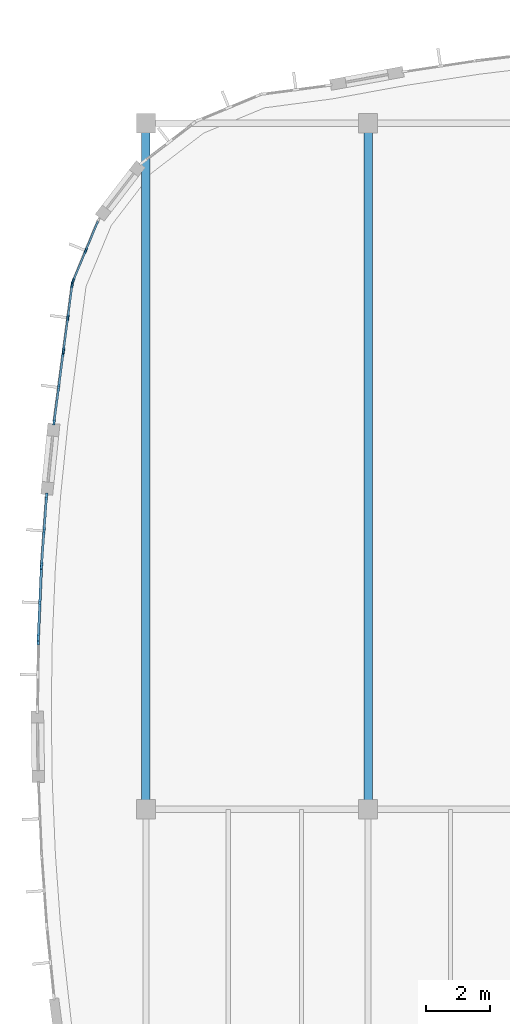
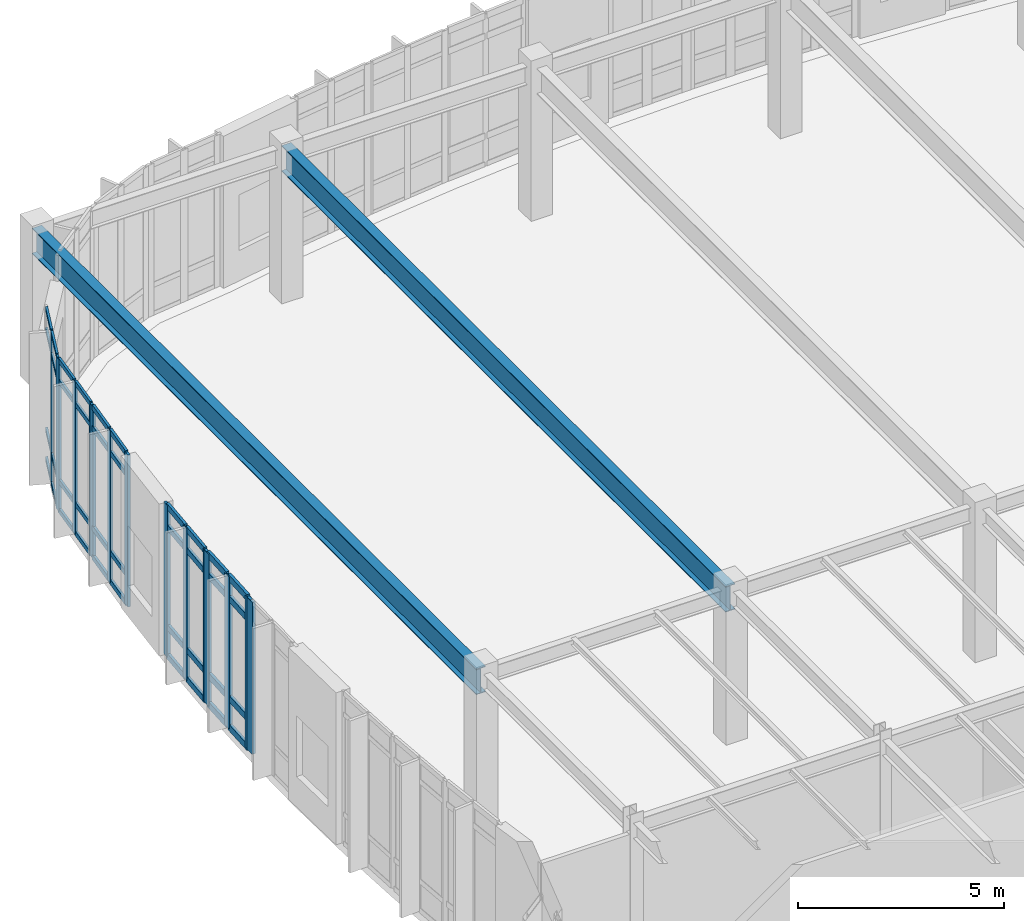
# One storey, part 44 of 120: 55 members, 2 beams, 6 elements without a shape of their own.
"""IFC4 building model written with IfcOpenShell, lengths in metres."""

from ifc_helpers import new_model, si_unit, direction, frame, origin, origin_2d, place, context, subcontext, project, spatial, rectangle, i_section, extrude, material, material_profile, profile_set, type_object, element, aggregate, save


model = new_model("IFC4")

# Units and contexts
model_context = context("Model", 3, precision=1e-05, world=origin(), true_north=direction((0.0, 1.0)))
body_context = subcontext(model_context, "Body", "Model", "MODEL_VIEW")
ifc_project = project(units=[si_unit("LENGTHUNIT", "METRE"), si_unit("AREAUNIT", "SQUARE_METRE"), si_unit("VOLUMEUNIT", "CUBIC_METRE"), si_unit("PLANEANGLEUNIT", "RADIAN"), si_unit("MASSUNIT", "GRAM", prefix="KILO")], contexts=[model_context])

# Site, building, storey
site_placement = place(None, origin())
site = spatial("IfcSite", under=ifc_project, at=site_placement, CompositionType="ELEMENT")
building_placement = place(site_placement, origin())
building = spatial("IfcBuilding", under=site, at=building_placement, Name="Corveleigh Park Community Centre", CompositionType="ELEMENT")
storey_placement = place(building_placement, origin())
storey = spatial("IfcBuildingStorey", under=building, at=storey_placement, Name="L00", CompositionType="ELEMENT", Elevation=0.0)

# Beams
ifc_material_1 = material(Name="Steel S355", Category="steel")
ifc_material_profile_1 = material_profile(ifc_material_1, i_section(OverallWidth=0.2666015625, OverallDepth=0.76220703125, WebThickness=0.014404296875, FlangeThickness=0.021484375, at=origin_2d()), Name="UKB 762x267x173", Category="steel")
ifc_profile_set_1 = profile_set([ifc_material_profile_1], Name="Steel S355")
beam_type = type_object("IfcBeamType", Name="BM-STL-UKB762x173", PredefinedType="BEAM", material=ifc_profile_set_1)
for number, where, z_axis, x_axis, name in (
    (1, (11.199951171875, 92.804931640625, 4.130859375), (0.0, 1.0, 0.0), (-1.0, 0.0, 0.0), "V2 Hall Floor Girder"),
    (2, (18.199951171875, 92.804931640625, 4.130859375), (0.0, 1.0, 0.0), (-1.0, 0.0, 0.0), "V2 Hall Floor Girder"),
):
    element("IfcBeam", number, at=place(storey_placement, frame(where, z_axis=z_axis, x_axis=x_axis)), inside=storey, type_object=beam_type, Name=name, PredefinedType="BEAM", context=body_context, shape_type="SweptSolid", body=[
        extrude(i_section(OverallWidth=0.2666015625, OverallDepth=0.76220703125, WebThickness=0.014404296875, FlangeThickness=0.021484375, at=origin_2d()), origin(), (0.0, 0.0, 1.0), 21.590087890625),
    ])

# Curtain wall, members
ifc_material_2 = material(Name="Anodised aluminium 6063-T6", Category="aluminium")
curtain_wall_type = type_object("IfcCurtainWallType", Name="CW-SYS-V2-L00", PredefinedType="NOTDEFINED", material=ifc_material_2)
curtain_wall_1_placement = place(storey_placement, origin())
curtain_wall_1 = element("IfcCurtainWall", 3, at=curtain_wall_1_placement, inside=storey, type_object=curtain_wall_type, Name="V2 L00 Curtain Wall 61", PredefinedType="NOTDEFINED")
ifc_material_profile_2 = material_profile(ifc_material_2, rectangle(XDim=0.06005859375, YDim=0.159912109375, at=origin_2d()), Name="ALU-M60x160", Category="aluminium")
ifc_profile_set_2 = profile_set([ifc_material_profile_2], Name="Anodised aluminium 6063-T6")
member_type_1 = type_object("IfcMemberType", Name="CWM-60x160", PredefinedType="MULLION", material=ifc_profile_set_2)
member_1_placement = place(storey_placement, frame((8.909423828125, 109.431640625, 0.0), z_axis=(0.0, 0.0, 1.0), x_axis=(-0.923770494231, 0.382946568059, 0.0)))
member_1 = element("IfcMember", 4, at=member_1_placement, type_object=member_type_1, Name="CW03 mullion 1", PredefinedType="MULLION", context=body_context, shape_type="SweptSolid", body=[
    extrude(rectangle(XDim=0.06005859375, YDim=0.159912109375, at=origin_2d()), origin(), (0.0, 0.0, 1.0), 4.511962890625),
])
member_2_placement = place(storey_placement, frame((9.305419921875, 110.386962890625, 0.0), z_axis=(0.0, 0.0, 1.0), x_axis=(-0.923770494231, 0.382946568059, 0.0)))
member_2 = element("IfcMember", 5, at=member_2_placement, type_object=member_type_1, Name="CW03 mullion 2", PredefinedType="MULLION", context=body_context, shape_type="SweptSolid", body=[
    extrude(rectangle(XDim=0.06005859375, YDim=0.159912109375, at=origin_2d()), origin(), (0.0, 0.0, 1.0), 4.511962890625),
])

curtain_wall_2_placement = place(storey_placement, origin())
curtain_wall_2 = element("IfcCurtainWall", 6, at=curtain_wall_2_placement, inside=storey, type_object=curtain_wall_type, Name="V2 L00 Curtain Wall 62", PredefinedType="NOTDEFINED")
ifc_material_profile_3 = material_profile(ifc_material_2, rectangle(XDim=0.06494140625, YDim=0.179931640625, at=origin_2d()), Name="ALU-M65x180", Category="aluminium")
ifc_profile_set_3 = profile_set([ifc_material_profile_3], Name="Anodised aluminium 6063-T6")
member_type_2 = type_object("IfcMemberType", Name="CWM-65x180", PredefinedType="MULLION", material=ifc_profile_set_3)
member_3_placement = place(storey_placement, frame((8.605224609375, 107.23828125, 0.0), z_axis=(0.0, 0.0, 1.0), x_axis=(-0.99145745499, 0.130430498525, 0.0)))
member_3 = element("IfcMember", 7, at=member_3_placement, type_object=member_type_2, Name="CW03 mullion 1", PredefinedType="MULLION", context=body_context, shape_type="SweptSolid", body=[
    extrude(rectangle(XDim=0.06494140625, YDim=0.179931640625, at=origin_2d()), origin(), (0.0, 0.0, 1.0), 4.511962890625),
])
member_4_placement = place(storey_placement, frame((8.741455078125, 108.27392578125, 0.0), z_axis=(0.0, 0.0, 1.0), x_axis=(-0.99145745499, 0.130430498525, 0.0)))
member_4 = element("IfcMember", 8, at=member_4_placement, type_object=member_type_2, Name="CW03 mullion 2", PredefinedType="MULLION", context=body_context, shape_type="SweptSolid", body=[
    extrude(rectangle(XDim=0.06494140625, YDim=0.179931640625, at=origin_2d()), origin(), (0.0, 0.0, 1.0), 4.511962890625),
])
member_5_placement = place(storey_placement, frame((8.877685546875, 109.309814453125, 0.0), z_axis=(0.0, 0.0, 1.0), x_axis=(-0.99145745499, 0.130430498525, 0.0)))
member_5 = element("IfcMember", 9, at=member_5_placement, type_object=member_type_2, Name="CW03 mullion 3", PredefinedType="MULLION", context=body_context, shape_type="SweptSolid", body=[
    extrude(rectangle(XDim=0.06494140625, YDim=0.179931640625, at=origin_2d()), origin(), (0.0, 0.0, 1.0), 4.511962890625),
])

curtain_wall_3_placement = place(storey_placement, origin())
curtain_wall_3 = element("IfcCurtainWall", 10, at=curtain_wall_3_placement, inside=storey, type_object=curtain_wall_type, Name="V2 L00 Curtain Wall 63", PredefinedType="NOTDEFINED")
ifc_material_profile_4 = material_profile(ifc_material_2, rectangle(XDim=0.070068359375, YDim=0.199951171875, at=origin_2d()), Name="ALU-M70x200", Category="aluminium")
ifc_profile_set_4 = profile_set([ifc_material_profile_4], Name="Anodised aluminium 6063-T6")
member_type_3 = type_object("IfcMemberType", Name="CWM-70x200", PredefinedType="MULLION", material=ifc_profile_set_4)
member_6_placement = place(storey_placement, frame((8.310546875, 104.99462890625, 0.0), z_axis=(0.0, 0.0, 1.0), x_axis=(-0.991508592502, 0.13004118961, 0.0)))
member_6 = element("IfcMember", 11, at=member_6_placement, type_object=member_type_3, Name="CW03 mullion 1", PredefinedType="MULLION", context=body_context, shape_type="SweptSolid", body=[
    extrude(rectangle(XDim=0.070068359375, YDim=0.199951171875, at=origin_2d()), origin(), (0.0, 0.0, 1.0), 4.511962890625),
])
member_7_placement = place(storey_placement, frame((8.452392578125, 106.076904296875, 0.0), z_axis=(0.0, 0.0, 1.0), x_axis=(-0.991508592502, 0.13004118961, 0.0)))
member_7 = element("IfcMember", 12, at=member_7_placement, type_object=member_type_3, Name="CW03 mullion 2", PredefinedType="MULLION", context=body_context, shape_type="SweptSolid", body=[
    extrude(rectangle(XDim=0.070068359375, YDim=0.199951171875, at=origin_2d()), origin(), (0.0, 0.0, 1.0), 4.511962890625),
])
member_8_placement = place(storey_placement, frame((8.594482421875, 107.1591796875, 0.0), z_axis=(0.0, 0.0, 1.0), x_axis=(-0.991508592502, 0.13004118961, 0.0)))
member_8 = element("IfcMember", 13, at=member_8_placement, type_object=member_type_3, Name="CW03 mullion 3", PredefinedType="MULLION", context=body_context, shape_type="SweptSolid", body=[
    extrude(rectangle(XDim=0.070068359375, YDim=0.199951171875, at=origin_2d()), origin(), (0.0, 0.0, 1.0), 4.511962890625),
])

curtain_wall_4_placement = place(storey_placement, origin())
curtain_wall_4 = element("IfcCurtainWall", 14, at=curtain_wall_4_placement, inside=storey, type_object=curtain_wall_type, Name="V2 L00 Curtain Wall 64", PredefinedType="NOTDEFINED")
ifc_material_profile_5 = material_profile(ifc_material_2, rectangle(XDim=0.074951171875, YDim=0.219970703125, at=origin_2d()), Name="ALU-M75x220", Category="aluminium")
ifc_profile_set_5 = profile_set([ifc_material_profile_5], Name="Anodised aluminium 6063-T6")
member_type_4 = type_object("IfcMemberType", Name="CWM-75x220", PredefinedType="MULLION", material=ifc_profile_set_5)
member_9_placement = place(storey_placement, frame((7.914794921875, 100.4794921875, 0.0), z_axis=(0.0, 0.0, 1.0), x_axis=(-0.997404262381, 0.072005120539, 0.0)))
member_9 = element("IfcMember", 15, at=member_9_placement, type_object=member_type_4, Name="CW03 mullion 1", PredefinedType="MULLION", context=body_context, shape_type="SweptSolid", body=[
    extrude(rectangle(XDim=0.074951171875, YDim=0.219970703125, at=origin_2d()), origin(), (0.0, 0.0, 1.0), 4.511962890625),
])
member_10_placement = place(storey_placement, frame((7.992919921875, 101.56396484375, 0.0), z_axis=(0.0, 0.0, 1.0), x_axis=(-0.997404262381, 0.072005120539, 0.0)))
member_10 = element("IfcMember", 16, at=member_10_placement, type_object=member_type_4, Name="CW03 mullion 2", PredefinedType="MULLION", context=body_context, shape_type="SweptSolid", body=[
    extrude(rectangle(XDim=0.074951171875, YDim=0.219970703125, at=origin_2d()), origin(), (0.0, 0.0, 1.0), 4.511962890625),
])
member_11_placement = place(storey_placement, frame((8.0712890625, 102.648681640625, 0.0), z_axis=(0.0, 0.0, 1.0), x_axis=(-0.997404262381, 0.072005120539, 0.0)))
member_11 = element("IfcMember", 17, at=member_11_placement, type_object=member_type_4, Name="CW03 mullion 3", PredefinedType="MULLION", context=body_context, shape_type="SweptSolid", body=[
    extrude(rectangle(XDim=0.074951171875, YDim=0.219970703125, at=origin_2d()), origin(), (0.0, 0.0, 1.0), 4.511962890625),
])

curtain_wall_5_placement = place(storey_placement, origin())
curtain_wall_5 = element("IfcCurtainWall", 18, at=curtain_wall_5_placement, inside=storey, type_object=curtain_wall_type, Name="V2 L00 Curtain Wall 65", PredefinedType="NOTDEFINED")
ifc_material_profile_6 = material_profile(ifc_material_2, rectangle(XDim=0.080078125, YDim=0.25, at=origin_2d()), Name="ALU-M80x250", Category="aluminium")
ifc_profile_set_6 = profile_set([ifc_material_profile_6], Name="Anodised aluminium 6063-T6")
member_type_5 = type_object("IfcMemberType", Name="CWM-80x250", PredefinedType="MULLION", material=ifc_profile_set_6)
member_12_placement = place(storey_placement, frame((7.814697265625, 98.217041015625, 0.0), z_axis=(0.0, 0.0, 1.0), x_axis=(-0.99905027695, 0.043572286221, 0.0)))
member_12 = element("IfcMember", 19, at=member_12_placement, type_object=member_type_5, Name="CW03 mullion 1", PredefinedType="MULLION", context=body_context, shape_type="SweptSolid", body=[
    extrude(rectangle(XDim=0.080078125, YDim=0.25, at=origin_2d()), origin(), (0.0, 0.0, 1.0), 4.511962890625),
])
member_13_placement = place(storey_placement, frame((7.862060546875, 99.300537109375, 0.0), z_axis=(0.0, 0.0, 1.0), x_axis=(-0.99905027695, 0.043572286221, 0.0)))
member_13 = element("IfcMember", 20, at=member_13_placement, type_object=member_type_5, Name="CW03 mullion 2", PredefinedType="MULLION", context=body_context, shape_type="SweptSolid", body=[
    extrude(rectangle(XDim=0.080078125, YDim=0.25, at=origin_2d()), origin(), (0.0, 0.0, 1.0), 4.511962890625),
])
member_14_placement = place(storey_placement, frame((7.9091796875, 100.384033203125, 0.0), z_axis=(0.0, 0.0, 1.0), x_axis=(-0.99905027695, 0.043572286221, 0.0)))
member_14 = element("IfcMember", 21, at=member_14_placement, type_object=member_type_5, Name="CW03 mullion 3", PredefinedType="MULLION", context=body_context, shape_type="SweptSolid", body=[
    extrude(rectangle(XDim=0.080078125, YDim=0.25, at=origin_2d()), origin(), (0.0, 0.0, 1.0), 4.511962890625),
])

# Curtain wall, member
curtain_wall_6_placement = place(storey_placement, origin())
curtain_wall_6 = element("IfcCurtainWall", 22, at=curtain_wall_6_placement, inside=storey, type_object=curtain_wall_type, Name="V2 L00 Curtain Wall 66", PredefinedType="NOTDEFINED")
ifc_material_profile_7 = material_profile(ifc_material_2, rectangle(XDim=0.0849609375, YDim=0.27490234375, at=origin_2d()), Name="ALU-M85x275", Category="aluminium")
ifc_profile_set_7 = profile_set([ifc_material_profile_7], Name="Anodised aluminium 6063-T6")
member_type_6 = type_object("IfcMemberType", Name="CWM-85x275", PredefinedType="MULLION", material=ifc_profile_set_7)
member_15_placement = place(storey_placement, frame((7.812255859375, 98.116455078125, 0.0), z_axis=(0.0, 0.0, 1.0), x_axis=(-0.999892461794, 0.014665089441, 0.0)))
member_15 = element("IfcMember", 23, at=member_15_placement, type_object=member_type_6, Name="CW03 mullion 3", PredefinedType="MULLION", context=body_context, shape_type="SweptSolid", body=[
    extrude(rectangle(XDim=0.0849609375, YDim=0.27490234375, at=origin_2d()), origin(), (0.0, 0.0, 1.0), 4.511962890625),
])
aggregate(curtain_wall_6, [member_15])

# Member
ifc_material_profile_8 = material_profile(ifc_material_2, rectangle(XDim=0.06005859375, YDim=0.1201171875, at=origin_2d()), Name="ALU-T60x120", Category="aluminium")
ifc_profile_set_8 = profile_set([ifc_material_profile_8], Name="Anodised aluminium 6063-T6")
member_type_7 = type_object("IfcMemberType", Name="CWT-60x120", PredefinedType="USERDEFINED", material=ifc_profile_set_8)
member_16_placement = place(storey_placement, frame((8.9208984375, 109.45947265625, 0.030029296875), z_axis=(0.382941999237, 0.923772388211, 0.0), x_axis=(-0.923772388211, 0.382941999237, 0.0)))
member_16 = element("IfcMember", 24, at=member_16_placement, type_object=member_type_7, Name="CW03 transom 1.1", ObjectType="TRANSOM", PredefinedType="USERDEFINED", context=body_context, shape_type="SweptSolid", body=[
    extrude(rectangle(XDim=0.06005859375, YDim=0.1201171875, at=origin_2d()), origin(), (0.0, 0.0, 1.0), 0.97412109375),
])

member_17_placement = place(storey_placement, frame((8.9208984375, 109.45947265625, 0.89990234375), z_axis=(0.382941999237, 0.923772388211, 0.0), x_axis=(-0.923772388211, 0.382941999237, 0.0)))
member_17 = element("IfcMember", 25, at=member_17_placement, type_object=member_type_7, Name="CW03 transom 1.2", ObjectType="TRANSOM", PredefinedType="USERDEFINED", context=body_context, shape_type="SweptSolid", body=[
    extrude(rectangle(XDim=0.06005859375, YDim=0.1201171875, at=origin_2d()), origin(), (0.0, 0.0, 1.0), 0.97412109375),
])

member_18_placement = place(storey_placement, frame((8.9208984375, 109.45947265625, 3.862060546875), z_axis=(0.382941999237, 0.923772388211, 0.0), x_axis=(-0.923772388211, 0.382941999237, 0.0)))
member_18 = element("IfcMember", 26, at=member_18_placement, type_object=member_type_7, Name="CW03 transom 1.3", ObjectType="TRANSOM", PredefinedType="USERDEFINED", context=body_context, shape_type="SweptSolid", body=[
    extrude(rectangle(XDim=0.06005859375, YDim=0.1201171875, at=origin_2d()), origin(), (0.0, 0.0, 1.0), 0.97412109375),
])

member_19_placement = place(storey_placement, frame((8.9208984375, 109.45947265625, 4.48193359375), z_axis=(0.382941999237, 0.923772388211, 0.0), x_axis=(-0.923772388211, 0.382941999237, 0.0)))
member_19 = element("IfcMember", 27, at=member_19_placement, type_object=member_type_7, Name="CW03 transom 1.4", ObjectType="TRANSOM", PredefinedType="USERDEFINED", context=body_context, shape_type="SweptSolid", body=[
    extrude(rectangle(XDim=0.06005859375, YDim=0.1201171875, at=origin_2d()), origin(), (0.0, 0.0, 1.0), 0.97412109375),
])

member_20_placement = place(storey_placement, frame((9.31689453125, 110.414794921875, 0.030029296875), z_axis=(0.383030673898, 0.923735623896, 0.0), x_axis=(-0.923735623896, 0.383030673898, 0.0)))
member_20 = element("IfcMember", 28, at=member_20_placement, type_object=member_type_7, Name="CW03 transom 2.1", ObjectType="TRANSOM", PredefinedType="USERDEFINED", context=body_context, shape_type="SweptSolid", body=[
    extrude(rectangle(XDim=0.06005859375, YDim=0.1201171875, at=origin_2d()), origin(), (0.0, 0.0, 1.0), 0.973876953125),
])

member_21_placement = place(storey_placement, frame((9.31689453125, 110.414794921875, 0.89990234375), z_axis=(0.383030673898, 0.923735623896, 0.0), x_axis=(-0.923735623896, 0.383030673898, 0.0)))
member_21 = element("IfcMember", 29, at=member_21_placement, type_object=member_type_7, Name="CW03 transom 2.2", ObjectType="TRANSOM", PredefinedType="USERDEFINED", context=body_context, shape_type="SweptSolid", body=[
    extrude(rectangle(XDim=0.06005859375, YDim=0.1201171875, at=origin_2d()), origin(), (0.0, 0.0, 1.0), 0.973876953125),
])

member_22_placement = place(storey_placement, frame((9.31689453125, 110.414794921875, 3.862060546875), z_axis=(0.383030673898, 0.923735623896, 0.0), x_axis=(-0.923735623896, 0.383030673898, 0.0)))
member_22 = element("IfcMember", 30, at=member_22_placement, type_object=member_type_7, Name="CW03 transom 2.3", ObjectType="TRANSOM", PredefinedType="USERDEFINED", context=body_context, shape_type="SweptSolid", body=[
    extrude(rectangle(XDim=0.06005859375, YDim=0.1201171875, at=origin_2d()), origin(), (0.0, 0.0, 1.0), 0.973876953125),
])

member_23_placement = place(storey_placement, frame((9.31689453125, 110.414794921875, 4.48193359375), z_axis=(0.383030673898, 0.923735623896, 0.0), x_axis=(-0.923735623896, 0.383030673898, 0.0)))
member_23 = element("IfcMember", 31, at=member_23_placement, type_object=member_type_7, Name="CW03 transom 2.4", ObjectType="TRANSOM", PredefinedType="USERDEFINED", context=body_context, shape_type="SweptSolid", body=[
    extrude(rectangle(XDim=0.06005859375, YDim=0.1201171875, at=origin_2d()), origin(), (0.0, 0.0, 1.0), 0.973876953125),
])

aggregate(curtain_wall_1, [member_1, member_2, member_16, member_17, member_18, member_19, member_20, member_21, member_22, member_23])

ifc_material_profile_9 = material_profile(ifc_material_2, rectangle(XDim=0.06494140625, YDim=0.139892578125, at=origin_2d()), Name="ALU-T65x140", Category="aluminium")
ifc_profile_set_9 = profile_set([ifc_material_profile_9], Name="Anodised aluminium 6063-T6")
member_type_8 = type_object("IfcMemberType", Name="CWT-65x140", PredefinedType="USERDEFINED", material=ifc_profile_set_9)
member_24_placement = place(storey_placement, frame((8.609375, 107.2705078125, 0.032470703125), z_axis=(0.130596346501, 0.991435622862, 0.0), x_axis=(-0.991435622862, 0.130596346501, 0.0)))
member_24 = element("IfcMember", 32, at=member_24_placement, type_object=member_type_8, Name="CW03 transom 1.1", ObjectType="TRANSOM", PredefinedType="USERDEFINED", context=body_context, shape_type="SweptSolid", body=[
    extrude(rectangle(XDim=0.06494140625, YDim=0.139892578125, at=origin_2d()), origin(), (0.0, 0.0, 1.0), 0.9794921875),
])

member_25_placement = place(storey_placement, frame((8.609375, 107.2705078125, 0.89990234375), z_axis=(0.130596346501, 0.991435622862, 0.0), x_axis=(-0.991435622862, 0.130596346501, 0.0)))
member_25 = element("IfcMember", 33, at=member_25_placement, type_object=member_type_8, Name="CW03 transom 1.2", ObjectType="TRANSOM", PredefinedType="USERDEFINED", context=body_context, shape_type="SweptSolid", body=[
    extrude(rectangle(XDim=0.06494140625, YDim=0.139892578125, at=origin_2d()), origin(), (0.0, 0.0, 1.0), 0.9794921875),
])

member_26_placement = place(storey_placement, frame((8.609375, 107.2705078125, 3.862060546875), z_axis=(0.130596346501, 0.991435622862, 0.0), x_axis=(-0.991435622862, 0.130596346501, 0.0)))
member_26 = element("IfcMember", 34, at=member_26_placement, type_object=member_type_8, Name="CW03 transom 1.3", ObjectType="TRANSOM", PredefinedType="USERDEFINED", context=body_context, shape_type="SweptSolid", body=[
    extrude(rectangle(XDim=0.06494140625, YDim=0.139892578125, at=origin_2d()), origin(), (0.0, 0.0, 1.0), 0.9794921875),
])

member_27_placement = place(storey_placement, frame((8.609375, 107.2705078125, 4.4794921875), z_axis=(0.130596346501, 0.991435622862, 0.0), x_axis=(-0.991435622862, 0.130596346501, 0.0)))
member_27 = element("IfcMember", 35, at=member_27_placement, type_object=member_type_8, Name="CW03 transom 1.4", ObjectType="TRANSOM", PredefinedType="USERDEFINED", context=body_context, shape_type="SweptSolid", body=[
    extrude(rectangle(XDim=0.06494140625, YDim=0.139892578125, at=origin_2d()), origin(), (0.0, 0.0, 1.0), 0.9794921875),
])

member_28_placement = place(storey_placement, frame((8.745849609375, 108.30615234375, 0.032470703125), z_axis=(0.130319152195, 0.991472096718, 0.0), x_axis=(-0.991472096718, 0.130319152195, 0.0)))
member_28 = element("IfcMember", 36, at=member_28_placement, type_object=member_type_8, Name="CW03 transom 2.1", ObjectType="TRANSOM", PredefinedType="USERDEFINED", context=body_context, shape_type="SweptSolid", body=[
    extrude(rectangle(XDim=0.06494140625, YDim=0.139892578125, at=origin_2d()), origin(), (0.0, 0.0, 1.0), 0.979736328125),
])

member_29_placement = place(storey_placement, frame((8.745849609375, 108.30615234375, 0.89990234375), z_axis=(0.130319152195, 0.991472096718, 0.0), x_axis=(-0.991472096718, 0.130319152195, 0.0)))
member_29 = element("IfcMember", 37, at=member_29_placement, type_object=member_type_8, Name="CW03 transom 2.2", ObjectType="TRANSOM", PredefinedType="USERDEFINED", context=body_context, shape_type="SweptSolid", body=[
    extrude(rectangle(XDim=0.06494140625, YDim=0.139892578125, at=origin_2d()), origin(), (0.0, 0.0, 1.0), 0.979736328125),
])

member_30_placement = place(storey_placement, frame((8.745849609375, 108.30615234375, 3.862060546875), z_axis=(0.130319152195, 0.991472096718, 0.0), x_axis=(-0.991472096718, 0.130319152195, 0.0)))
member_30 = element("IfcMember", 38, at=member_30_placement, type_object=member_type_8, Name="CW03 transom 2.3", ObjectType="TRANSOM", PredefinedType="USERDEFINED", context=body_context, shape_type="SweptSolid", body=[
    extrude(rectangle(XDim=0.06494140625, YDim=0.139892578125, at=origin_2d()), origin(), (0.0, 0.0, 1.0), 0.979736328125),
])

member_31_placement = place(storey_placement, frame((8.745849609375, 108.30615234375, 4.4794921875), z_axis=(0.130319152195, 0.991472096718, 0.0), x_axis=(-0.991472096718, 0.130319152195, 0.0)))
member_31 = element("IfcMember", 39, at=member_31_placement, type_object=member_type_8, Name="CW03 transom 2.4", ObjectType="TRANSOM", PredefinedType="USERDEFINED", context=body_context, shape_type="SweptSolid", body=[
    extrude(rectangle(XDim=0.06494140625, YDim=0.139892578125, at=origin_2d()), origin(), (0.0, 0.0, 1.0), 0.979736328125),
])

aggregate(curtain_wall_2, [member_3, member_4, member_5, member_24, member_25, member_26, member_27, member_28, member_29, member_30, member_31])

ifc_material_profile_10 = material_profile(ifc_material_2, rectangle(XDim=0.070068359375, YDim=0.155029296875, at=origin_2d()), Name="ALU-T70x155", Category="aluminium")
ifc_profile_set_10 = profile_set([ifc_material_profile_10], Name="Anodised aluminium 6063-T6")
member_type_9 = type_object("IfcMemberType", Name="CWT-70x155", PredefinedType="USERDEFINED", material=ifc_profile_set_10)
member_32_placement = place(storey_placement, frame((8.315185546875, 105.029296875, 0.034912109375), z_axis=(0.130003225498, 0.991513570941, 0.0), x_axis=(-0.991513570941, 0.130003225498, 0.0)))
member_32 = element("IfcMember", 40, at=member_32_placement, type_object=member_type_9, Name="CW03 transom 1.1", ObjectType="TRANSOM", PredefinedType="USERDEFINED", context=body_context, shape_type="SweptSolid", body=[
    extrude(rectangle(XDim=0.070068359375, YDim=0.155029296875, at=origin_2d()), origin(), (0.0, 0.0, 1.0), 1.021728515625),
])

member_33_placement = place(storey_placement, frame((8.315185546875, 105.029296875, 0.89990234375), z_axis=(0.130003225498, 0.991513570941, 0.0), x_axis=(-0.991513570941, 0.130003225498, 0.0)))
member_33 = element("IfcMember", 41, at=member_33_placement, type_object=member_type_9, Name="CW03 transom 1.2", ObjectType="TRANSOM", PredefinedType="USERDEFINED", context=body_context, shape_type="SweptSolid", body=[
    extrude(rectangle(XDim=0.070068359375, YDim=0.155029296875, at=origin_2d()), origin(), (0.0, 0.0, 1.0), 1.021728515625),
])

member_34_placement = place(storey_placement, frame((8.315185546875, 105.029296875, 3.862060546875), z_axis=(0.130003225498, 0.991513570941, 0.0), x_axis=(-0.991513570941, 0.130003225498, 0.0)))
member_34 = element("IfcMember", 42, at=member_34_placement, type_object=member_type_9, Name="CW03 transom 1.3", ObjectType="TRANSOM", PredefinedType="USERDEFINED", context=body_context, shape_type="SweptSolid", body=[
    extrude(rectangle(XDim=0.070068359375, YDim=0.155029296875, at=origin_2d()), origin(), (0.0, 0.0, 1.0), 1.021728515625),
])

member_35_placement = place(storey_placement, frame((8.315185546875, 105.029296875, 4.47705078125), z_axis=(0.130003225498, 0.991513570941, 0.0), x_axis=(-0.991513570941, 0.130003225498, 0.0)))
member_35 = element("IfcMember", 43, at=member_35_placement, type_object=member_type_9, Name="CW03 transom 1.4", ObjectType="TRANSOM", PredefinedType="USERDEFINED", context=body_context, shape_type="SweptSolid", body=[
    extrude(rectangle(XDim=0.070068359375, YDim=0.155029296875, at=origin_2d()), origin(), (0.0, 0.0, 1.0), 1.021728515625),
])

member_36_placement = place(storey_placement, frame((8.45703125, 106.11181640625, 0.034912109375), z_axis=(0.1300340368, 0.991509530601, 0.0), x_axis=(-0.991509530601, 0.1300340368, 0.0)))
member_36 = element("IfcMember", 44, at=member_36_placement, type_object=member_type_9, Name="CW03 transom 2.1", ObjectType="TRANSOM", PredefinedType="USERDEFINED", context=body_context, shape_type="SweptSolid", body=[
    extrude(rectangle(XDim=0.070068359375, YDim=0.155029296875, at=origin_2d()), origin(), (0.0, 0.0, 1.0), 1.021484375),
])

member_37_placement = place(storey_placement, frame((8.45703125, 106.11181640625, 0.89990234375), z_axis=(0.1300340368, 0.991509530601, 0.0), x_axis=(-0.991509530601, 0.1300340368, 0.0)))
member_37 = element("IfcMember", 45, at=member_37_placement, type_object=member_type_9, Name="CW03 transom 2.2", ObjectType="TRANSOM", PredefinedType="USERDEFINED", context=body_context, shape_type="SweptSolid", body=[
    extrude(rectangle(XDim=0.070068359375, YDim=0.155029296875, at=origin_2d()), origin(), (0.0, 0.0, 1.0), 1.021484375),
])

member_38_placement = place(storey_placement, frame((8.45703125, 106.11181640625, 3.862060546875), z_axis=(0.1300340368, 0.991509530601, 0.0), x_axis=(-0.991509530601, 0.1300340368, 0.0)))
member_38 = element("IfcMember", 46, at=member_38_placement, type_object=member_type_9, Name="CW03 transom 2.3", ObjectType="TRANSOM", PredefinedType="USERDEFINED", context=body_context, shape_type="SweptSolid", body=[
    extrude(rectangle(XDim=0.070068359375, YDim=0.155029296875, at=origin_2d()), origin(), (0.0, 0.0, 1.0), 1.021484375),
])

member_39_placement = place(storey_placement, frame((8.45703125, 106.11181640625, 4.47705078125), z_axis=(0.1300340368, 0.991509530601, 0.0), x_axis=(-0.991509530601, 0.1300340368, 0.0)))
member_39 = element("IfcMember", 47, at=member_39_placement, type_object=member_type_9, Name="CW03 transom 2.4", ObjectType="TRANSOM", PredefinedType="USERDEFINED", context=body_context, shape_type="SweptSolid", body=[
    extrude(rectangle(XDim=0.070068359375, YDim=0.155029296875, at=origin_2d()), origin(), (0.0, 0.0, 1.0), 1.021484375),
])

aggregate(curtain_wall_3, [member_6, member_7, member_8, member_32, member_33, member_34, member_35, member_36, member_37, member_38, member_39])

ifc_material_profile_11 = material_profile(ifc_material_2, rectangle(XDim=0.074951171875, YDim=0.175048828125, at=origin_2d()), Name="ALU-T75x175", Category="aluminium")
ifc_profile_set_11 = profile_set([ifc_material_profile_11], Name="Anodised aluminium 6063-T6")
member_type_10 = type_object("IfcMemberType", Name="CWT-75x175", PredefinedType="USERDEFINED", material=ifc_profile_set_11)
member_40_placement = place(storey_placement, frame((7.91748046875, 100.516845703125, 0.03759765625), z_axis=(0.071863999802, 0.997414440206, 0.0), x_axis=(-0.997414440206, 0.071863999802, 0.0)))
member_40 = element("IfcMember", 48, at=member_40_placement, type_object=member_type_10, Name="CW03 transom 1.1", ObjectType="TRANSOM", PredefinedType="USERDEFINED", context=body_context, shape_type="SweptSolid", body=[
    extrude(rectangle(XDim=0.074951171875, YDim=0.175048828125, at=origin_2d()), origin(), (0.0, 0.0, 1.0), 1.012451171875),
])

member_41_placement = place(storey_placement, frame((7.91748046875, 100.516845703125, 0.89990234375), z_axis=(0.071863999802, 0.997414440206, 0.0), x_axis=(-0.997414440206, 0.071863999802, 0.0)))
member_41 = element("IfcMember", 49, at=member_41_placement, type_object=member_type_10, Name="CW03 transom 1.2", ObjectType="TRANSOM", PredefinedType="USERDEFINED", context=body_context, shape_type="SweptSolid", body=[
    extrude(rectangle(XDim=0.074951171875, YDim=0.175048828125, at=origin_2d()), origin(), (0.0, 0.0, 1.0), 1.012451171875),
])

member_42_placement = place(storey_placement, frame((7.91748046875, 100.516845703125, 3.862060546875), z_axis=(0.071863999802, 0.997414440206, 0.0), x_axis=(-0.997414440206, 0.071863999802, 0.0)))
member_42 = element("IfcMember", 50, at=member_42_placement, type_object=member_type_10, Name="CW03 transom 1.3", ObjectType="TRANSOM", PredefinedType="USERDEFINED", context=body_context, shape_type="SweptSolid", body=[
    extrude(rectangle(XDim=0.074951171875, YDim=0.175048828125, at=origin_2d()), origin(), (0.0, 0.0, 1.0), 1.012451171875),
])

member_43_placement = place(storey_placement, frame((7.91748046875, 100.516845703125, 4.474609375), z_axis=(0.071863999802, 0.997414440206, 0.0), x_axis=(-0.997414440206, 0.071863999802, 0.0)))
member_43 = element("IfcMember", 51, at=member_43_placement, type_object=member_type_10, Name="CW03 transom 1.4", ObjectType="TRANSOM", PredefinedType="USERDEFINED", context=body_context, shape_type="SweptSolid", body=[
    extrude(rectangle(XDim=0.074951171875, YDim=0.175048828125, at=origin_2d()), origin(), (0.0, 0.0, 1.0), 1.012451171875),
])

member_44_placement = place(storey_placement, frame((7.99560546875, 101.601318359375, 0.03759765625), z_axis=(0.072103902495, 0.997397126146, 0.0), x_axis=(-0.997397126146, 0.072103902495, 0.0)))
member_44 = element("IfcMember", 52, at=member_44_placement, type_object=member_type_10, Name="CW03 transom 2.1", ObjectType="TRANSOM", PredefinedType="USERDEFINED", context=body_context, shape_type="SweptSolid", body=[
    extrude(rectangle(XDim=0.074951171875, YDim=0.175048828125, at=origin_2d()), origin(), (0.0, 0.0, 1.0), 1.012451171875),
])

member_45_placement = place(storey_placement, frame((7.99560546875, 101.601318359375, 0.89990234375), z_axis=(0.072103902495, 0.997397126146, 0.0), x_axis=(-0.997397126146, 0.072103902495, 0.0)))
member_45 = element("IfcMember", 53, at=member_45_placement, type_object=member_type_10, Name="CW03 transom 2.2", ObjectType="TRANSOM", PredefinedType="USERDEFINED", context=body_context, shape_type="SweptSolid", body=[
    extrude(rectangle(XDim=0.074951171875, YDim=0.175048828125, at=origin_2d()), origin(), (0.0, 0.0, 1.0), 1.012451171875),
])

member_46_placement = place(storey_placement, frame((7.99560546875, 101.601318359375, 3.862060546875), z_axis=(0.072103902495, 0.997397126146, 0.0), x_axis=(-0.997397126146, 0.072103902495, 0.0)))
member_46 = element("IfcMember", 54, at=member_46_placement, type_object=member_type_10, Name="CW03 transom 2.3", ObjectType="TRANSOM", PredefinedType="USERDEFINED", context=body_context, shape_type="SweptSolid", body=[
    extrude(rectangle(XDim=0.074951171875, YDim=0.175048828125, at=origin_2d()), origin(), (0.0, 0.0, 1.0), 1.012451171875),
])

member_47_placement = place(storey_placement, frame((7.99560546875, 101.601318359375, 4.474609375), z_axis=(0.072103902495, 0.997397126146, 0.0), x_axis=(-0.997397126146, 0.072103902495, 0.0)))
member_47 = element("IfcMember", 55, at=member_47_placement, type_object=member_type_10, Name="CW03 transom 2.4", ObjectType="TRANSOM", PredefinedType="USERDEFINED", context=body_context, shape_type="SweptSolid", body=[
    extrude(rectangle(XDim=0.074951171875, YDim=0.175048828125, at=origin_2d()), origin(), (0.0, 0.0, 1.0), 1.012451171875),
])

aggregate(curtain_wall_4, [member_9, member_10, member_11, member_40, member_41, member_42, member_43, member_44, member_45, member_46, member_47])

ifc_material_profile_12 = material_profile(ifc_material_2, rectangle(XDim=0.080078125, YDim=0.195068359375, at=origin_2d()), Name="ALU-T80x195", Category="aluminium")
ifc_profile_set_12 = profile_set([ifc_material_profile_12], Name="Anodised aluminium 6063-T6")
member_type_11 = type_object("IfcMemberType", Name="CWT-80x195", PredefinedType="USERDEFINED", material=ifc_profile_set_12)
member_48_placement = place(storey_placement, frame((7.81640625, 98.2568359375, 0.0400390625), z_axis=(0.043743056821, 0.999042814388, 0.0), x_axis=(-0.999042814388, 0.043743056821, 0.0)))
member_48 = element("IfcMember", 56, at=member_48_placement, type_object=member_type_11, Name="CW03 transom 1.1", ObjectType="TRANSOM", PredefinedType="USERDEFINED", context=body_context, shape_type="SweptSolid", body=[
    extrude(rectangle(XDim=0.080078125, YDim=0.195068359375, at=origin_2d()), origin(), (0.0, 0.0, 1.0), 1.004638671875),
])

member_49_placement = place(storey_placement, frame((7.81640625, 98.2568359375, 0.89990234375), z_axis=(0.043743056821, 0.999042814388, 0.0), x_axis=(-0.999042814388, 0.043743056821, 0.0)))
member_49 = element("IfcMember", 57, at=member_49_placement, type_object=member_type_11, Name="CW03 transom 1.2", ObjectType="TRANSOM", PredefinedType="USERDEFINED", context=body_context, shape_type="SweptSolid", body=[
    extrude(rectangle(XDim=0.080078125, YDim=0.195068359375, at=origin_2d()), origin(), (0.0, 0.0, 1.0), 1.004638671875),
])

member_50_placement = place(storey_placement, frame((7.81640625, 98.2568359375, 3.862060546875), z_axis=(0.043743056821, 0.999042814388, 0.0), x_axis=(-0.999042814388, 0.043743056821, 0.0)))
member_50 = element("IfcMember", 58, at=member_50_placement, type_object=member_type_11, Name="CW03 transom 1.3", ObjectType="TRANSOM", PredefinedType="USERDEFINED", context=body_context, shape_type="SweptSolid", body=[
    extrude(rectangle(XDim=0.080078125, YDim=0.195068359375, at=origin_2d()), origin(), (0.0, 0.0, 1.0), 1.004638671875),
])

member_51_placement = place(storey_placement, frame((7.81640625, 98.2568359375, 4.471923828125), z_axis=(0.043743056821, 0.999042814388, 0.0), x_axis=(-0.999042814388, 0.043743056821, 0.0)))
member_51 = element("IfcMember", 59, at=member_51_placement, type_object=member_type_11, Name="CW03 transom 1.4", ObjectType="TRANSOM", PredefinedType="USERDEFINED", context=body_context, shape_type="SweptSolid", body=[
    extrude(rectangle(XDim=0.080078125, YDim=0.195068359375, at=origin_2d()), origin(), (0.0, 0.0, 1.0), 1.004638671875),
])

member_52_placement = place(storey_placement, frame((7.86376953125, 99.340576171875, 0.0400390625), z_axis=(0.043511065008, 0.999052945154, 0.0), x_axis=(-0.999052945154, 0.043511065008, 0.0)))
member_52 = element("IfcMember", 60, at=member_52_placement, type_object=member_type_11, Name="CW03 transom 2.1", ObjectType="TRANSOM", PredefinedType="USERDEFINED", context=body_context, shape_type="SweptSolid", body=[
    extrude(rectangle(XDim=0.080078125, YDim=0.195068359375, at=origin_2d()), origin(), (0.0, 0.0, 1.0), 1.00439453125),
])

member_53_placement = place(storey_placement, frame((7.86376953125, 99.340576171875, 0.89990234375), z_axis=(0.043511065008, 0.999052945154, 0.0), x_axis=(-0.999052945154, 0.043511065008, 0.0)))
member_53 = element("IfcMember", 61, at=member_53_placement, type_object=member_type_11, Name="CW03 transom 2.2", ObjectType="TRANSOM", PredefinedType="USERDEFINED", context=body_context, shape_type="SweptSolid", body=[
    extrude(rectangle(XDim=0.080078125, YDim=0.195068359375, at=origin_2d()), origin(), (0.0, 0.0, 1.0), 1.00439453125),
])

member_54_placement = place(storey_placement, frame((7.86376953125, 99.340576171875, 3.862060546875), z_axis=(0.043511065008, 0.999052945154, 0.0), x_axis=(-0.999052945154, 0.043511065008, 0.0)))
member_54 = element("IfcMember", 62, at=member_54_placement, type_object=member_type_11, Name="CW03 transom 2.3", ObjectType="TRANSOM", PredefinedType="USERDEFINED", context=body_context, shape_type="SweptSolid", body=[
    extrude(rectangle(XDim=0.080078125, YDim=0.195068359375, at=origin_2d()), origin(), (0.0, 0.0, 1.0), 1.00439453125),
])

member_55_placement = place(storey_placement, frame((7.86376953125, 99.340576171875, 4.471923828125), z_axis=(0.043511065008, 0.999052945154, 0.0), x_axis=(-0.999052945154, 0.043511065008, 0.0)))
member_55 = element("IfcMember", 63, at=member_55_placement, type_object=member_type_11, Name="CW03 transom 2.4", ObjectType="TRANSOM", PredefinedType="USERDEFINED", context=body_context, shape_type="SweptSolid", body=[
    extrude(rectangle(XDim=0.080078125, YDim=0.195068359375, at=origin_2d()), origin(), (0.0, 0.0, 1.0), 1.00439453125),
])

aggregate(curtain_wall_5, [member_12, member_13, member_14, member_48, member_49, member_50, member_51, member_52, member_53, member_54, member_55])

save(model, "model.ifc")
